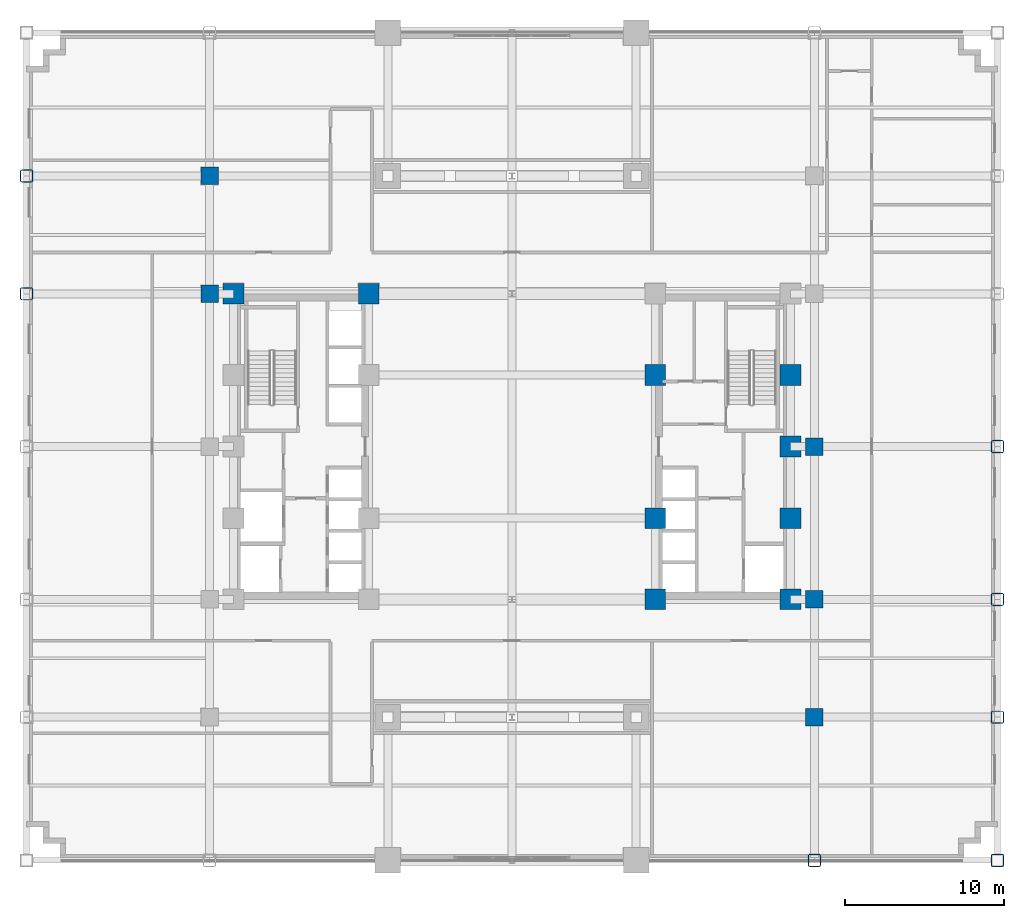
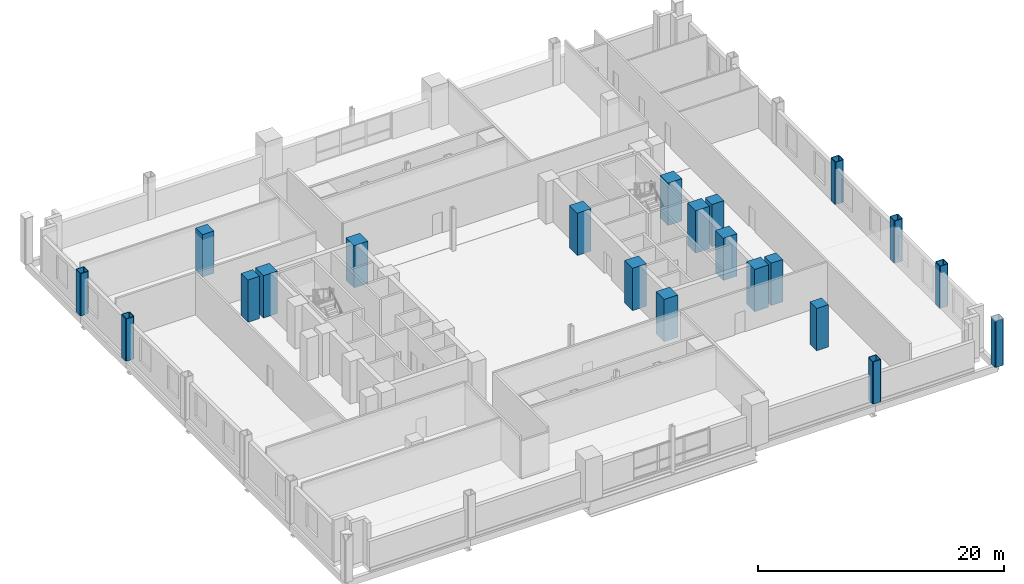
# One storey, part 2 of 17: 21 columns.
"""IFC4 building model written with IfcOpenShell, lengths in metres."""

from ifc_helpers import new_model, si_unit, direction, frame, origin, origin_2d, place, context, subcontext, project, spatial, rectangle, hollow_rectangle, extrude, material, material_profile, profile_set, type_object, element, save


model = new_model("IFC4")

# Units and contexts
model_context = context("Model", 3, precision=1e-05, world=origin(), true_north=direction((0.0, 1.0)))
body_context = subcontext(model_context, "Body", "Model", "MODEL_VIEW")
ifc_project = project(units=[si_unit("LENGTHUNIT", "METRE"), si_unit("AREAUNIT", "SQUARE_METRE"), si_unit("VOLUMEUNIT", "CUBIC_METRE"), si_unit("PLANEANGLEUNIT", "RADIAN"), si_unit("MASSUNIT", "GRAM", prefix="KILO")], contexts=[model_context])

# Site, building, storey
site_placement = place(None, origin())
site = spatial("IfcSite", under=ifc_project, at=site_placement, CompositionType="ELEMENT")
building_placement = place(site_placement, origin())
building = spatial("IfcBuilding", under=site, at=building_placement, Name="Nuvemarco Arch Tower", CompositionType="ELEMENT")
storey_placement = place(building_placement, frame((0.0, 0.0, 18.39990234375)))
storey = spatial("IfcBuildingStorey", under=building, at=storey_placement, Name="L04", CompositionType="ELEMENT", Elevation=18.39990234375)

# Columns
ifc_material_1 = material(Name="Concrete C60/75", Category="concrete")
ifc_material_profile_1 = material_profile(ifc_material_1, rectangle(XDim=1.10009765625, YDim=1.10009765625, at=origin_2d()), Name="RC-COL-1100x1100")
ifc_profile_set_1 = profile_set([ifc_material_profile_1], Name="Concrete C60/75")
column_type_1 = type_object("IfcColumnType", Name="COL-CORE-1100", PredefinedType="COLUMN", material=ifc_profile_set_1)
for number, where, z_axis, x_axis, name in (
    (1, (-19.0, 9.60009765625, 0.0), (0.0, 0.0, 1.0), (1.0, 0.0, 0.0), "L04 column CP_-19.0_+9.6"),
    (2, (-19.0, 17.0, 0.0), (0.0, 0.0, 1.0), (1.0, 0.0, 0.0), "L04 column CP_-19.0_+17.0"),
    (3, (19.0, -17.0, 0.0), (0.0, 0.0, 1.0), (1.0, 0.0, 0.0), "L04 column CP_+19.0_-17.0"),
    (4, (19.0, -9.60009765625, 0.0), (0.0, 0.0, 1.0), (1.0, 0.0, 0.0), "L04 column CP_+19.0_-9.6"),
    (5, (19.0, 0.0, 0.0), (0.0, 0.0, 1.0), (1.0, 0.0, 0.0), "L04 column CP_+19.0_+0.0"),
):
    element("IfcColumn", number, at=place(storey_placement, frame(where, z_axis=z_axis, x_axis=x_axis)), inside=storey, type_object=column_type_1, Name=name, PredefinedType="COLUMN", context=body_context, shape_type="SweptSolid", body=[
        extrude(rectangle(XDim=1.10009765625, YDim=1.10009765625, at=origin_2d()), origin(), (0.0, 0.0, 1.0), 4.2001953125),
    ])
ifc_material_profile_2 = material_profile(ifc_material_1, rectangle(XDim=1.300048828125, YDim=1.300048828125, at=origin_2d()), Name="RC-COL-1300x1300")
ifc_profile_set_2 = profile_set([ifc_material_profile_2], Name="Concrete C60/75")
column_type_2 = type_object("IfcColumnType", Name="COL-CORE-1300", PredefinedType="COLUMN", material=ifc_profile_set_2)
for number, where, z_axis, x_axis, name in (
    (6, (-17.5, 9.60009765625, 0.0), (0.0, 0.0, 1.0), (1.0, 0.0, 0.0), "L04 column CC_-17.5_+9.6"),
    (7, (-9.0, 9.60009765625, 0.0), (0.0, 0.0, 1.0), (1.0, 0.0, 0.0), "L04 column CC_-9.0_+9.6"),
    (8, (9.0, -9.60009765625, 0.0), (0.0, 0.0, 1.0), (1.0, 0.0, 0.0), "L04 column CC_+9.0_-9.6"),
    (9, (9.0, -4.5, 0.0), (0.0, 0.0, 1.0), (1.0, 0.0, 0.0), "L04 column CC_+9.0_-4.5"),
    (10, (9.0, 4.5, 0.0), (0.0, 0.0, 1.0), (1.0, 0.0, 0.0), "L04 column CC_+9.0_+4.5"),
    (11, (17.5, -9.60009765625, 0.0), (0.0, 0.0, 1.0), (1.0, 0.0, 0.0), "L04 column CC_+17.5_-9.6"),
    (12, (17.5, -4.5, 0.0), (0.0, 0.0, 1.0), (1.0, 0.0, 0.0), "L04 column CC_+17.5_-4.5"),
    (13, (17.5, 4.5, 0.0), (0.0, 0.0, 1.0), (1.0, 0.0, 0.0), "L04 column CC_+17.5_+4.5"),
    (14, (17.5, 0.0, 0.0), (0.0, 0.0, 1.0), (1.0, 0.0, 0.0), "L04 column CC_+17.5_+0.0"),
):
    element("IfcColumn", number, at=place(storey_placement, frame(where, z_axis=z_axis, x_axis=x_axis)), inside=storey, type_object=column_type_2, Name=name, PredefinedType="COLUMN", context=body_context, shape_type="SweptSolid", body=[
        extrude(rectangle(XDim=1.300048828125, YDim=1.300048828125, at=origin_2d()), origin(), (0.0, 0.0, 1.0), 4.2001953125),
    ])
ifc_material_2 = material(Name="Steel S460", Category="steel")
ifc_material_profile_3 = material_profile(ifc_material_2, hollow_rectangle(XDim=0.800048828125, YDim=0.800048828125, WallThickness=0.054931640625, InnerFilletRadius=0.054931640625, OuterFilletRadius=0.110107421875, at=origin_2d()), Name="SHS800x800x55")
ifc_profile_set_3 = profile_set([ifc_material_profile_3], Name="Steel S460")
column_type_3 = type_object("IfcColumnType", Name="COL-EXO-800", PredefinedType="COLUMN", material=ifc_profile_set_3)
for number, where, z_axis, x_axis, name in (
    (15, (-30.5, 9.60009765625, 0.0), (0.0, 0.0, 1.0), (1.0, 0.0, 0.0), "L04 column CP_-30.5_+9.6"),
    (16, (-30.5, 17.0, 0.0), (0.0, 0.0, 1.0), (1.0, 0.0, 0.0), "L04 column CP_-30.5_+17.0"),
    (17, (19.0, -26.0, 0.0), (0.0, 0.0, 1.0), (1.0, 0.0, 0.0), "L04 column CP_+19.0_-26.0"),
):
    element("IfcColumn", number, at=place(storey_placement, frame(where, z_axis=z_axis, x_axis=x_axis)), inside=storey, type_object=column_type_3, Name=name, PredefinedType="COLUMN", context=body_context, shape_type="SweptSolid", body=[
        extrude(hollow_rectangle(XDim=0.800048828125, YDim=0.800048828125, WallThickness=0.054931640625, InnerFilletRadius=0.054931640625, OuterFilletRadius=0.110107421875, at=origin_2d()), origin(), (0.0, 0.0, 1.0), 4.2001953125),
    ])
column_placement = place(storey_placement, frame((30.5, -26.0, -0.39990234375), z_axis=(0.0, 0.0, 1.0), x_axis=(1.0, 0.0, 0.0)))
element("IfcColumn", 18, at=column_placement, inside=storey, type_object=column_type_3, Name="L04 column CP_+30.5_-26.0", PredefinedType="COLUMN", context=body_context, shape_type="SweptSolid", body=[
    extrude(hollow_rectangle(XDim=0.800048828125, YDim=0.800048828125, WallThickness=0.054931640625, InnerFilletRadius=0.054931640625, OuterFilletRadius=0.110107421875, at=origin_2d()), origin(), (0.0, 0.0, 1.0), 4.60009765625),
])
for number, where, z_axis, x_axis, name in (
    (19, (30.5, -17.0, 0.0), (0.0, 0.0, 1.0), (1.0, 0.0, 0.0), "L04 column CP_+30.5_-17.0"),
    (20, (30.5, -9.60009765625, 0.0), (0.0, 0.0, 1.0), (1.0, 0.0, 0.0), "L04 column CP_+30.5_-9.6"),
    (21, (30.5, 0.0, 0.0), (0.0, 0.0, 1.0), (1.0, 0.0, 0.0), "L04 column CP_+30.5_+0.0"),
):
    element("IfcColumn", number, at=place(storey_placement, frame(where, z_axis=z_axis, x_axis=x_axis)), inside=storey, type_object=column_type_3, Name=name, PredefinedType="COLUMN", context=body_context, shape_type="SweptSolid", body=[
        extrude(hollow_rectangle(XDim=0.800048828125, YDim=0.800048828125, WallThickness=0.054931640625, InnerFilletRadius=0.054931640625, OuterFilletRadius=0.110107421875, at=origin_2d()), origin(), (0.0, 0.0, 1.0), 4.2001953125),
    ])

save(model, "model.ifc")
